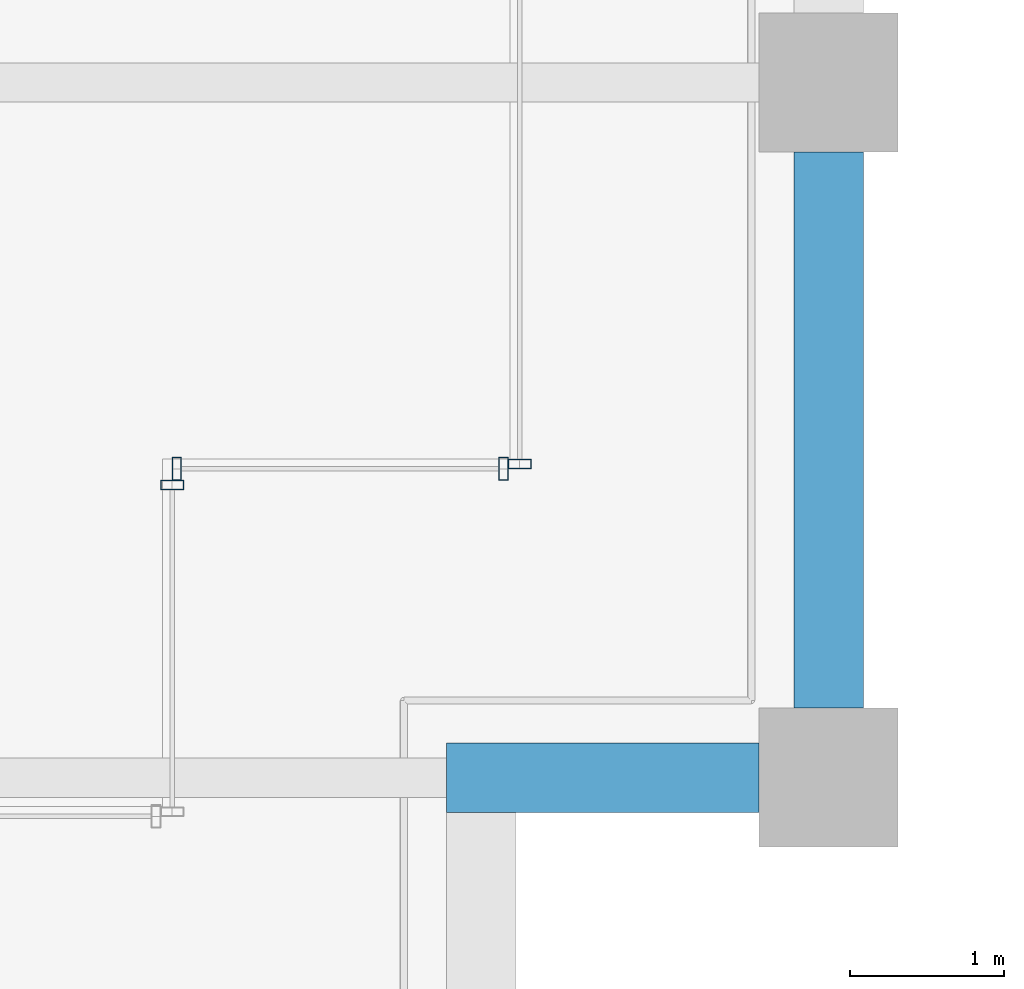
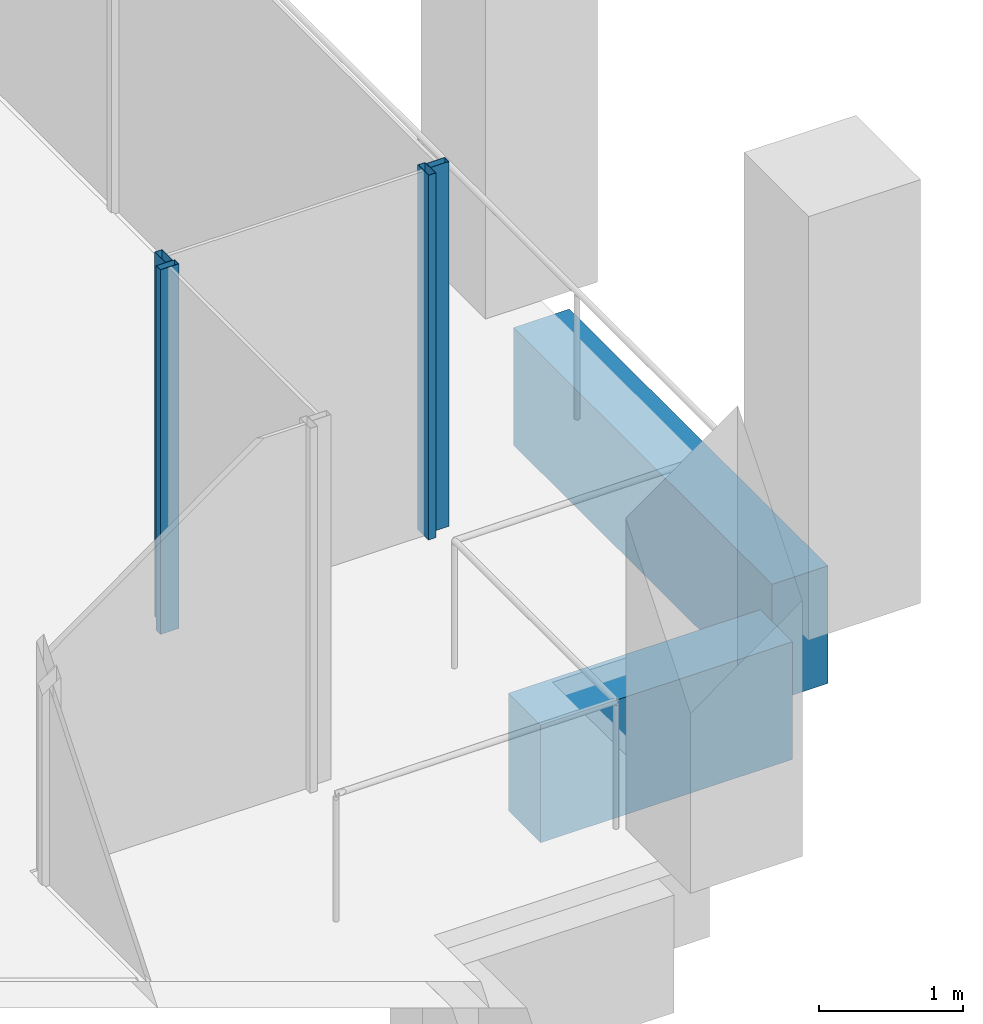
# One storey, part 13 of 40: 4 members, 2 beams, 3 elements without a shape of their own.
"""IFC4 building model written with IfcOpenShell, lengths in metres."""

from ifc_helpers import new_model, si_unit, direction, frame, origin, origin_2d, place, context, subcontext, project, spatial, rectangle, hollow_rectangle, extrude, material, material_profile, profile_set, type_object, element, aggregate, save


model = new_model("IFC4")

# Units and contexts
model_context = context("Model", 3, precision=1e-05, world=origin(), true_north=direction((0.0, 1.0)))
body_context = subcontext(model_context, "Body", "Model", "MODEL_VIEW")
ifc_project = project(units=[si_unit("LENGTHUNIT", "METRE"), si_unit("AREAUNIT", "SQUARE_METRE"), si_unit("VOLUMEUNIT", "CUBIC_METRE"), si_unit("PLANEANGLEUNIT", "RADIAN"), si_unit("MASSUNIT", "GRAM", prefix="KILO")], contexts=[model_context])

# Site, building, storey
site_placement = place(None, origin())
site = spatial("IfcSite", under=ifc_project, at=site_placement, CompositionType="ELEMENT")
building_placement = place(site_placement, origin())
building = spatial("IfcBuilding", under=site, at=building_placement, Name="Altepetl Exchange Towers", CompositionType="ELEMENT")
storey_placement = place(building_placement, frame((0.0, 0.0, 172.60009765625)))
storey = spatial("IfcBuildingStorey", under=building, at=storey_placement, Name="L43", CompositionType="ELEMENT", Elevation=172.60009765625)

# Curtain wall, member
ifc_material_1 = material(Name="Aluminium 6063-T6 glazing", Category="aluminium")
curtain_wall_type = type_object("IfcCurtainWallType", Name="Loggia glazing system", PredefinedType="NOTDEFINED", material=ifc_material_1)
curtain_wall_1_placement = place(storey_placement, origin())
curtain_wall_1 = element("IfcCurtainWall", 1, at=curtain_wall_1_placement, inside=storey, type_object=curtain_wall_type, Name="CW1 run", PredefinedType="NOTDEFINED")
ifc_material_2 = material(Name="Aluminium 6063-T6", Category="aluminium")
ifc_material_profile_1 = material_profile(ifc_material_2, hollow_rectangle(XDim=0.06005859375, YDim=0.14990234375, WallThickness=0.0029296875, at=origin_2d()), Name="Mullion 60x150 aluminium")
ifc_profile_set_1 = profile_set([ifc_material_profile_1], Name="Aluminium 6063-T6")
member_type = type_object("IfcMemberType", Name="Mullion 60x150 aluminium", PredefinedType="MULLION", material=ifc_profile_set_1)
member_1_placement = place(storey_placement, frame((67.75, 33.39501953125, 0.0), z_axis=(0.0, 0.0, 1.0), x_axis=(0.0, 1.0, 0.0)))
member_1 = element("IfcMember", 2, at=member_1_placement, type_object=member_type, Name="MU1 mullion", PredefinedType="MULLION", context=body_context, shape_type="SweptSolid", body=[
    extrude(hollow_rectangle(XDim=0.06005859375, YDim=0.14990234375, WallThickness=0.0029296875, at=origin_2d()), origin(), (0.0, 0.0, 1.0), 3.099853515625),
])
aggregate(curtain_wall_1, [member_1])

# Curtain wall, members
curtain_wall_2_placement = place(storey_placement, origin())
curtain_wall_2 = element("IfcCurtainWall", 3, at=curtain_wall_2_placement, inside=storey, type_object=curtain_wall_type, Name="CW1 run", PredefinedType="NOTDEFINED")
member_2_placement = place(storey_placement, frame((67.780029296875, 33.5, 0.0)))
member_2 = element("IfcMember", 4, at=member_2_placement, type_object=member_type, Name="MU1 mullion", PredefinedType="MULLION", context=body_context, shape_type="SweptSolid", body=[
    extrude(hollow_rectangle(XDim=0.06005859375, YDim=0.14990234375, WallThickness=0.0029296875, at=origin_2d()), origin(), (0.0, 0.0, 1.0), 3.099853515625),
])
member_3_placement = place(storey_placement, frame((69.89501953125, 33.5, 0.0)))
member_3 = element("IfcMember", 5, at=member_3_placement, type_object=member_type, Name="MU1 mullion", PredefinedType="MULLION", context=body_context, shape_type="SweptSolid", body=[
    extrude(hollow_rectangle(XDim=0.06005859375, YDim=0.14990234375, WallThickness=0.0029296875, at=origin_2d()), origin(), (0.0, 0.0, 1.0), 3.099853515625),
])
aggregate(curtain_wall_2, [member_2, member_3])

# Curtain wall, member
curtain_wall_3_placement = place(storey_placement, origin())
curtain_wall_3 = element("IfcCurtainWall", 6, at=curtain_wall_3_placement, inside=storey, type_object=curtain_wall_type, Name="CW1 run", PredefinedType="NOTDEFINED")
member_4_placement = place(storey_placement, frame((70.0, 33.530029296875, 0.0), z_axis=(0.0, 0.0, 1.0), x_axis=(0.0, 1.0, 0.0)))
member_4 = element("IfcMember", 7, at=member_4_placement, type_object=member_type, Name="MU1 mullion", PredefinedType="MULLION", context=body_context, shape_type="SweptSolid", body=[
    extrude(hollow_rectangle(XDim=0.06005859375, YDim=0.14990234375, WallThickness=0.0029296875, at=origin_2d()), origin(), (0.0, 0.0, 1.0), 3.099853515625),
])
aggregate(curtain_wall_3, [member_4])

# Beams
ifc_material_3 = material(Name="Concrete C50/60 precast with cantera amarilla facing", Category="concrete")
ifc_material_profile_2 = material_profile(ifc_material_3, rectangle(XDim=0.449951171875, YDim=1.0, at=origin_2d()), Name="450 x 1000")
ifc_profile_set_2 = profile_set([ifc_material_profile_2], Name="Concrete C50/60 precast with cantera amarilla facing")
beam_type = type_object("IfcBeamType", Name="Spandrel beam 450x1000 cantera amarilla", PredefinedType="SPANDREL", material=ifc_profile_set_2)
beam_1_placement = place(storey_placement, frame((69.52490234375, 31.5, -0.650146484375), z_axis=(1.0, 0.0, 0.0), x_axis=(0.0, 1.0, 0.0)))
element("IfcBeam", 8, at=beam_1_placement, inside=storey, type_object=beam_type, Name="sp:A:L43:011", PredefinedType="SPANDREL", context=body_context, shape_type="SweptSolid", body=[
    extrude(rectangle(XDim=0.449951171875, YDim=1.0, at=origin_2d()), origin(), (0.0, 0.0, 1.0), 2.025146484375),
])
beam_2_placement = place(storey_placement, frame((72.0, 31.949951171875, -0.650146484375), z_axis=(0.0, 1.0, 0.0), x_axis=(-1.0, 0.0, 0.0)))
element("IfcBeam", 9, at=beam_2_placement, inside=storey, type_object=beam_type, Name="sp:A:L43:012", PredefinedType="SPANDREL", context=body_context, shape_type="SweptSolid", body=[
    extrude(rectangle(XDim=0.449951171875, YDim=1.0, at=origin_2d()), origin(), (0.0, 0.0, 1.0), 3.60009765625),
])

save(model, "model.ifc")
